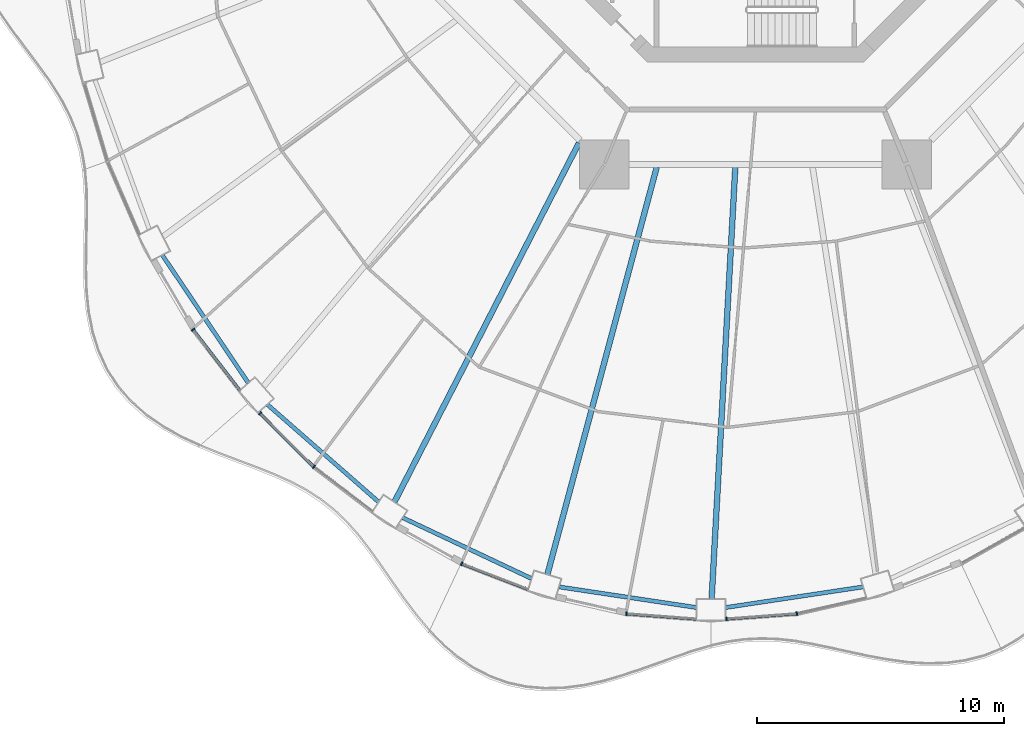
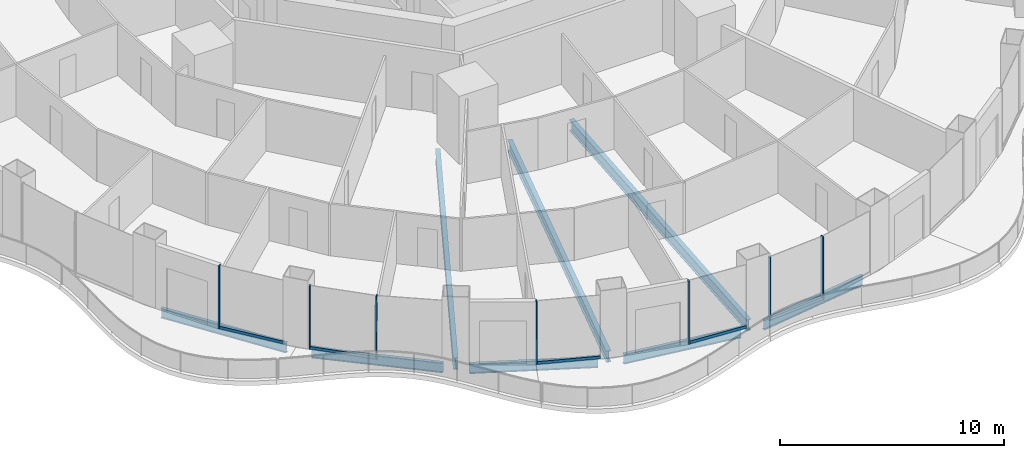
# One storey, part 2 of 20: 12 members, 8 beams, 7 elements without a shape of their own.
"""IFC4 building model written with IfcOpenShell, lengths in metres."""

from ifc_helpers import new_model, si_unit, direction, frame, origin, origin_2d, place, context, subcontext, project, spatial, rectangle, i_section, extrude, material, layer, layer_set, material_profile, profile_set, type_object, element, aggregate, save


model = new_model("IFC4")

# Units and contexts
model_context = context("Model", 3, precision=1e-05, world=origin(), true_north=direction((0.0, 1.0)))
body_context = subcontext(model_context, "Body", "Model", "MODEL_VIEW")
ifc_project = project(units=[si_unit("LENGTHUNIT", "METRE"), si_unit("AREAUNIT", "SQUARE_METRE"), si_unit("VOLUMEUNIT", "CUBIC_METRE"), si_unit("PLANEANGLEUNIT", "RADIAN"), si_unit("MASSUNIT", "GRAM", prefix="KILO")], contexts=[model_context])

# Site, building, storey
site_placement = place(None, origin())
site = spatial("IfcSite", under=ifc_project, at=site_placement, CompositionType="ELEMENT")
building_placement = place(site_placement, origin())
building = spatial("IfcBuilding", under=site, at=building_placement, Name="Nagisa Residences", CompositionType="ELEMENT")
storey_placement = place(building_placement, frame((0.0, 0.0, 123.300048828125)))
storey = spatial("IfcBuildingStorey", under=building, at=storey_placement, Name="L30", CompositionType="ELEMENT", Elevation=123.300048828125)

# Curtain wall, member
ifc_material_1 = material(Name="Concrete-coloured aluminium curtain wall system", Category="concrete")
ifc_layer = layer(ifc_material_1, 0.159912109375)
ifc_layer_set = layer_set([ifc_layer], Name="CW1 CURTAIN WALL")
curtain_wall_type = type_object("IfcCurtainWallType", Name="CW1 CURTAIN WALL", PredefinedType="NOTDEFINED", material=ifc_layer_set)
curtain_wall_1_placement = place(storey_placement, origin())
curtain_wall_1 = element("IfcCurtainWall", 1, at=curtain_wall_1_placement, inside=storey, type_object=curtain_wall_type, Name="cw:CW1:L30:29", PredefinedType="NOTDEFINED")
ifc_material_2 = material(Name="Concrete-coloured aluminium", Category="concrete")
ifc_material_profile_1 = material_profile(ifc_material_2, rectangle(XDim=0.159912109375, YDim=0.06005859375, at=origin_2d()), Name="CW1 MULLION 160x60")
ifc_profile_set_1 = profile_set([ifc_material_profile_1], Name="Concrete-coloured aluminium")
member_type_1 = type_object("IfcMemberType", Name="CW1 MULLION 160x60", PredefinedType="MULLION", material=ifc_profile_set_1)
member_1_placement = place(storey_placement, frame((-22.77001953125, -21.47412109375, 0.0), z_axis=(0.0, 0.0, 1.0), x_axis=(0.792070340816, 0.610429828235, 0.0)))
member_1 = element("IfcMember", 2, at=member_1_placement, type_object=member_type_1, Name="CW1 mullion", PredefinedType="MULLION", context=body_context, shape_type="SweptSolid", body=[
    extrude(rectangle(XDim=0.159912109375, YDim=0.06005859375, at=origin_2d()), origin(), (0.0, 0.0, 1.0), 3.43994140625),
])

curtain_wall_2_placement = place(storey_placement, origin())
curtain_wall_2 = element("IfcCurtainWall", 3, at=curtain_wall_2_placement, inside=storey, type_object=curtain_wall_type, Name="cw:CW1:L30:30", PredefinedType="NOTDEFINED")
member_2_placement = place(storey_placement, frame((-20.060546875, -24.857177734375, 0.0), z_axis=(0.0, 0.0, 1.0), x_axis=(0.706376885714, 0.707835924016, 0.0)))
member_2 = element("IfcMember", 4, at=member_2_placement, type_object=member_type_1, Name="CW1 mullion", PredefinedType="MULLION", context=body_context, shape_type="SweptSolid", body=[
    extrude(rectangle(XDim=0.159912109375, YDim=0.06005859375, at=origin_2d()), origin(), (0.0, 0.0, 1.0), 3.43994140625),
])

curtain_wall_3_placement = place(storey_placement, origin())
curtain_wall_3 = element("IfcCurtainWall", 5, at=curtain_wall_3_placement, inside=storey, type_object=curtain_wall_type, Name="cw:CW1:L30:31", PredefinedType="NOTDEFINED")
member_3_placement = place(storey_placement, frame((-17.881103515625, -27.027587890625, 0.0), z_axis=(0.0, 0.0, 1.0), x_axis=(0.605255421737, 0.79603132756, 0.0)))
member_3 = element("IfcMember", 6, at=member_3_placement, type_object=member_type_1, Name="CW1 mullion", PredefinedType="MULLION", context=body_context, shape_type="SweptSolid", body=[
    extrude(rectangle(XDim=0.159912109375, YDim=0.06005859375, at=origin_2d()), origin(), (0.0, 0.0, 1.0), 3.43994140625),
])
aggregate(curtain_wall_3, [member_3])

curtain_wall_4_placement = place(storey_placement, origin())
curtain_wall_4 = element("IfcCurtainWall", 7, at=curtain_wall_4_placement, inside=storey, type_object=curtain_wall_type, Name="cw:CW1:L30:33", PredefinedType="NOTDEFINED")
member_4_placement = place(storey_placement, frame((-11.897705078125, -30.950439453125, 0.0), z_axis=(0.0, 0.0, 1.0), x_axis=(0.360327770268, 0.932825759707, 0.0)))
member_4 = element("IfcMember", 8, at=member_4_placement, type_object=member_type_1, Name="CW1 mullion", PredefinedType="MULLION", context=body_context, shape_type="SweptSolid", body=[
    extrude(rectangle(XDim=0.159912109375, YDim=0.06005859375, at=origin_2d()), origin(), (0.0, 0.0, 1.0), 3.43994140625),
])

curtain_wall_5_placement = place(storey_placement, origin())
curtain_wall_5 = element("IfcCurtainWall", 9, at=curtain_wall_5_placement, inside=storey, type_object=curtain_wall_type, Name="cw:CW1:L30:35", PredefinedType="NOTDEFINED")
member_5_placement = place(storey_placement, frame((-5.2275390625, -32.976806640625, 0.0), z_axis=(0.0, 0.0, 1.0), x_axis=(0.074377355493, 0.997230168512, 0.0)))
member_5 = element("IfcMember", 10, at=member_5_placement, type_object=member_type_1, Name="CW1 mullion", PredefinedType="MULLION", context=body_context, shape_type="SweptSolid", body=[
    extrude(rectangle(XDim=0.159912109375, YDim=0.06005859375, at=origin_2d()), origin(), (0.0, 0.0, 1.0), 3.43994140625),
])

curtain_wall_6_placement = place(storey_placement, origin())
curtain_wall_6 = element("IfcCurtainWall", 11, at=curtain_wall_6_placement, inside=storey, type_object=curtain_wall_type, Name="cw:CW1:L30:36", PredefinedType="NOTDEFINED")
member_6_placement = place(storey_placement, frame((-1.177734375, -33.18603515625, 0.0), z_axis=(0.0, 0.0, 1.0), x_axis=(-0.074377355493, 0.997230168512, 0.0)))
member_6 = element("IfcMember", 12, at=member_6_placement, type_object=member_type_1, Name="CW1 mullion", PredefinedType="MULLION", context=body_context, shape_type="SweptSolid", body=[
    extrude(rectangle(XDim=0.159912109375, YDim=0.06005859375, at=origin_2d()), origin(), (0.0, 0.0, 1.0), 3.43994140625),
])

curtain_wall_7_placement = place(storey_placement, origin())
curtain_wall_7 = element("IfcCurtainWall", 13, at=curtain_wall_7_placement, inside=storey, type_object=curtain_wall_type, Name="cw:CW1:L30:37", PredefinedType="NOTDEFINED")
member_7_placement = place(storey_placement, frame((1.675048828125, -32.9697265625, 0.0), z_axis=(0.0, 0.0, 1.0), x_axis=(-0.2207639201, 0.975327274089, 0.0)))
member_7 = element("IfcMember", 14, at=member_7_placement, type_object=member_type_1, Name="CW1 mullion", PredefinedType="MULLION", context=body_context, shape_type="SweptSolid", body=[
    extrude(rectangle(XDim=0.159912109375, YDim=0.06005859375, at=origin_2d()), origin(), (0.0, 0.0, 1.0), 3.43994140625),
])
aggregate(curtain_wall_7, [member_7])

# Member
ifc_material_3 = material(Name="Concrete-coloured aluminium", Category="concrete")
ifc_material_profile_2 = material_profile(ifc_material_3, rectangle(XDim=0.1201171875, YDim=0.14990234375, at=origin_2d()), Name="CW1 TRANSOM 120x150")
ifc_profile_set_2 = profile_set([ifc_material_profile_2], Name="Concrete-coloured aluminium")
member_type_2 = type_object("IfcMemberType", Name="CW1 TRANSOM 120x150", PredefinedType="USERDEFINED", material=ifc_profile_set_2)
member_8_placement = place(storey_placement, frame((-22.788330078125, -21.450439453125, 0.074951171875), z_axis=(0.610429847179, -0.792070326217, 0.0), x_axis=(0.792070326217, 0.610429847179, 0.0)))
member_8 = element("IfcMember", 15, at=member_8_placement, type_object=member_type_2, Name="CW1 transom", ObjectType="TRANSOM", PredefinedType="USERDEFINED", context=body_context, shape_type="SweptSolid", body=[
    extrude(rectangle(XDim=0.1201171875, YDim=0.14990234375, at=origin_2d()), origin(), (0.0, 0.0, 1.0), 3.149169921875),
])

aggregate(curtain_wall_1, [member_1, member_8])

member_9_placement = place(storey_placement, frame((-20.081787109375, -24.8359375, 0.074951171875), z_axis=(0.707818274975, -0.706394570768, 0.0), x_axis=(0.706394570768, 0.707818274975, 0.0)))
member_9 = element("IfcMember", 16, at=member_9_placement, type_object=member_type_2, Name="CW1 transom", ObjectType="TRANSOM", PredefinedType="USERDEFINED", context=body_context, shape_type="SweptSolid", body=[
    extrude(rectangle(XDim=0.1201171875, YDim=0.14990234375, at=origin_2d()), origin(), (0.0, 0.0, 1.0), 3.086669921875),
])

aggregate(curtain_wall_2, [member_2, member_9])

member_10_placement = place(storey_placement, frame((-11.92578125, -30.939697265625, 0.074951171875), z_axis=(0.932845344347, -0.360277064952, 0.0), x_axis=(0.360277064952, 0.932845344347, 0.0)))
member_10 = element("IfcMember", 17, at=member_10_placement, type_object=member_type_2, Name="CW1 transom", ObjectType="TRANSOM", PredefinedType="USERDEFINED", context=body_context, shape_type="SweptSolid", body=[
    extrude(rectangle(XDim=0.1201171875, YDim=0.14990234375, at=origin_2d()), origin(), (0.0, 0.0, 1.0), 2.92333984375),
])

aggregate(curtain_wall_4, [member_4, member_10])

member_11_placement = place(storey_placement, frame((-5.257568359375, -32.974609375, 0.074951171875), z_axis=(0.997232166829, -0.074350557769, 0.0), x_axis=(0.074350557769, 0.997232166829, 0.0)))
member_11 = element("IfcMember", 18, at=member_11_placement, type_object=member_type_2, Name="CW1 transom", ObjectType="TRANSOM", PredefinedType="USERDEFINED", context=body_context, shape_type="SweptSolid", body=[
    extrude(rectangle(XDim=0.1201171875, YDim=0.14990234375, at=origin_2d()), origin(), (0.0, 0.0, 1.0), 2.873291015625),
])

aggregate(curtain_wall_5, [member_5, member_11])

member_12_placement = place(storey_placement, frame((-1.20751953125, -33.188232421875, 0.074951171875), z_axis=(0.997231697044, 0.074356858535, 0.0), x_axis=(-0.074356858535, 0.997231697044, 0.0)))
member_12 = element("IfcMember", 19, at=member_12_placement, type_object=member_type_2, Name="CW1 transom", ObjectType="TRANSOM", PredefinedType="USERDEFINED", context=body_context, shape_type="SweptSolid", body=[
    extrude(rectangle(XDim=0.1201171875, YDim=0.14990234375, at=origin_2d()), origin(), (0.0, 0.0, 1.0), 2.873046875),
])

aggregate(curtain_wall_6, [member_6, member_12])

# Beams
ifc_material_4 = material(Name="Steel ASTM A572 Gr 50", Category="steel")
ifc_material_profile_3 = material_profile(ifc_material_4, i_section(OverallWidth=0.166015625, OverallDepth=0.534912109375, WebThickness=0.01025390625, FlangeThickness=0.0166015625, at=origin_2d()), Name="W530x85")
ifc_profile_set_3 = profile_set([ifc_material_profile_3], Name="Steel ASTM A572 Gr 50")
beam_type_1 = type_object("IfcBeamType", Name="Perimeter ring beam W530x85", PredefinedType="BEAM", material=ifc_profile_set_3)
beam_1_placement = place(storey_placement, frame((-24.020751953125, -18.4501953125, -0.527587890625), z_axis=(0.558187951157, -0.82971453596, 0.0), x_axis=(0.82971453596, 0.558187951157, 0.0)))
element("IfcBeam", 20, at=beam_1_placement, inside=storey, type_object=beam_type_1, Name="beam:L30:pb15", PredefinedType="BEAM", context=body_context, shape_type="SweptSolid", body=[
    extrude(i_section(OverallWidth=0.166015625, OverallDepth=0.534912109375, WebThickness=0.01025390625, FlangeThickness=0.0166015625, at=origin_2d()), origin(), (0.0, 0.0, 1.0), 6.24267578125),
])
beam_2_placement = place(storey_placement, frame((-19.769287109375, -24.500732421875, -0.527587890625), z_axis=(0.75252371036, -0.658565156493, 0.0), x_axis=(0.658565156493, 0.75252371036, 0.0)))
element("IfcBeam", 21, at=beam_2_placement, inside=storey, type_object=beam_type_1, Name="beam:L30:pb16", PredefinedType="BEAM", context=body_context, shape_type="SweptSolid", body=[
    extrude(i_section(OverallWidth=0.166015625, OverallDepth=0.534912109375, WebThickness=0.01025390625, FlangeThickness=0.0166015625, at=origin_2d()), origin(), (0.0, 0.0, 1.0), 5.994384765625),
])
beam_3_placement = place(storey_placement, frame((-14.287841796875, -29.084716796875, -0.527587890625), z_axis=(0.904186034847, -0.427138870143, 0.0), x_axis=(0.427138870143, 0.904186034847, 0.0)))
element("IfcBeam", 22, at=beam_3_placement, inside=storey, type_object=beam_type_1, Name="beam:L30:pb17", PredefinedType="BEAM", context=body_context, shape_type="SweptSolid", body=[
    extrude(i_section(OverallWidth=0.166015625, OverallDepth=0.534912109375, WebThickness=0.01025390625, FlangeThickness=0.0166015625, at=origin_2d()), origin(), (0.0, 0.0, 1.0), 5.772216796875),
])
for number, where, z_axis, x_axis, name in (
    (23, (-7.958251953125, -31.887939453125, -0.527587890625), (0.9889122118, -0.148501304214, 0.0), (0.148501304214, 0.9889122118, 0.0), "beam:L30:pb18"),
    (24, (-1.2197265625, -32.7255859375, -0.527587890625), (0.9889122118, 0.148501304214, 0.0), (-0.148501304214, 0.9889122118, 0.0), "beam:L30:pb19"),
):
    element("IfcBeam", number, at=place(storey_placement, frame(where, z_axis=z_axis, x_axis=x_axis)), inside=storey, type_object=beam_type_1, Name=name, PredefinedType="BEAM", context=body_context, shape_type="SweptSolid", body=[
        extrude(i_section(OverallWidth=0.166015625, OverallDepth=0.534912109375, WebThickness=0.01025390625, FlangeThickness=0.0166015625, at=origin_2d()), origin(), (0.0, 0.0, 1.0), 5.640625),
    ])
ifc_material_5 = material(Name="Steel ASTM A572 Gr 50", Category="steel")
ifc_material_profile_4 = material_profile(ifc_material_5, i_section(OverallWidth=0.22900390625, OverallDepth=0.612060546875, WebThickness=0.011962890625, FlangeThickness=0.01953125, at=origin_2d()), Name="W610x125")
ifc_profile_set_4 = profile_set([ifc_material_profile_4], Name="Steel ASTM A572 Gr 50")
beam_type_2 = type_object("IfcBeamType", Name="Radial beam W610x125", PredefinedType="BEAM", material=ifc_profile_set_4)
beam_4_placement = place(storey_placement, frame((-14.619873046875, -28.449462890625, -0.566162109375), z_axis=(0.457072968779, 0.889429199662, 0.0), x_axis=(-0.889429199662, 0.457072968779, 0.0)))
element("IfcBeam", 25, at=beam_4_placement, inside=storey, type_object=beam_type_2, Name="beam:L30:rb17", PredefinedType="BEAM", context=body_context, shape_type="SweptSolid", body=[
    extrude(i_section(OverallWidth=0.22900390625, OverallDepth=0.612060546875, WebThickness=0.011962890625, FlangeThickness=0.01953125, at=origin_2d()), origin(), (0.0, 0.0, 1.0), 16.347412109375),
])
beam_5_placement = place(storey_placement, frame((-8.4267578125, -31.38525390625, -0.566162109375), z_axis=(0.25930906211, 0.965794393392, 0.0), x_axis=(-0.965794393392, 0.25930906211, 0.0)))
element("IfcBeam", 26, at=beam_5_placement, inside=storey, type_object=beam_type_2, Name="beam:L30:rb18", PredefinedType="BEAM", context=body_context, shape_type="SweptSolid", body=[
    extrude(i_section(OverallWidth=0.22900390625, OverallDepth=0.612060546875, WebThickness=0.011962890625, FlangeThickness=0.01953125, at=origin_2d()), origin(), (0.0, 0.0, 1.0), 17.079833984375),
])
beam_6_placement = place(storey_placement, frame((-1.7763671875, -32.382568359375, -0.566162109375), z_axis=(0.054779249477, 0.998498489647, 0.0), x_axis=(-0.998498489647, 0.054779249477, 0.0)))
element("IfcBeam", 27, at=beam_6_placement, inside=storey, type_object=beam_type_2, Name="beam:L30:rb19", PredefinedType="BEAM", context=body_context, shape_type="SweptSolid", body=[
    extrude(i_section(OverallWidth=0.22900390625, OverallDepth=0.612060546875, WebThickness=0.011962890625, FlangeThickness=0.01953125, at=origin_2d()), origin(), (0.0, 0.0, 1.0), 17.519775390625),
])

save(model, "model.ifc")
